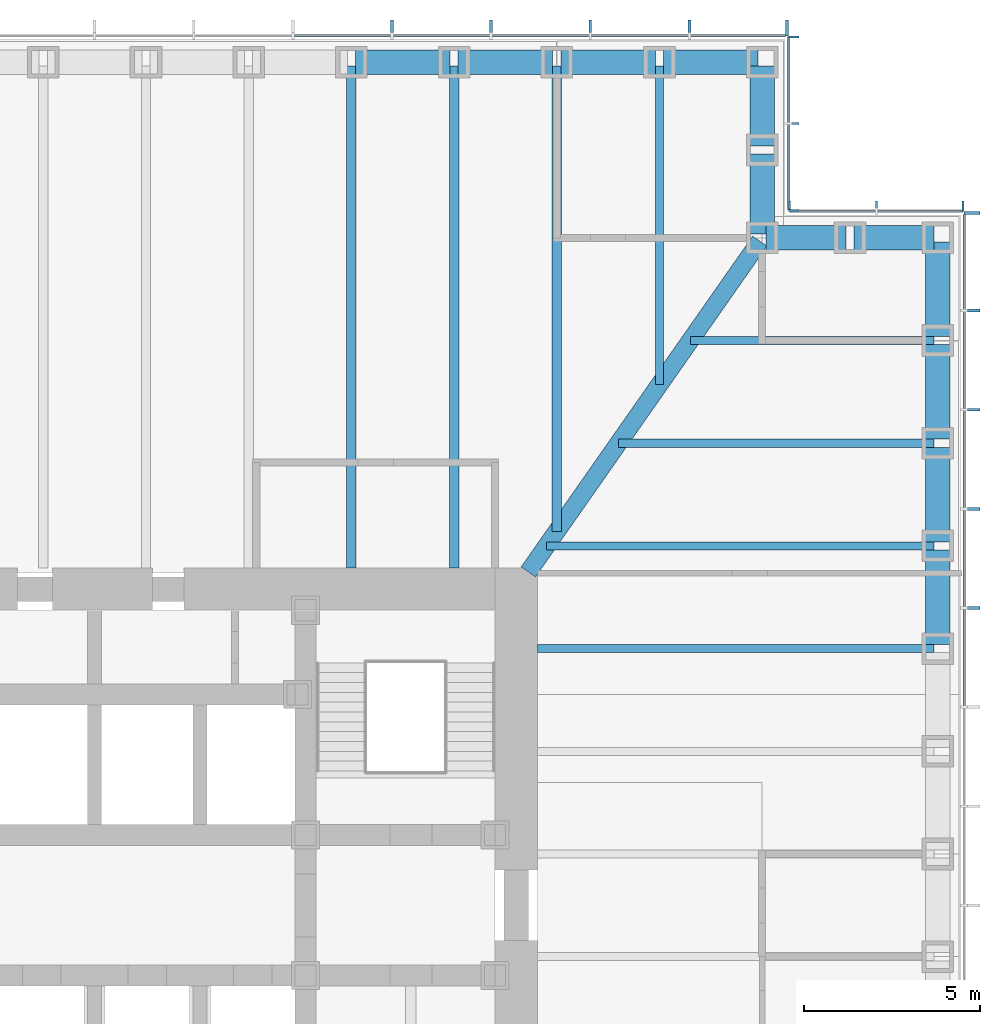
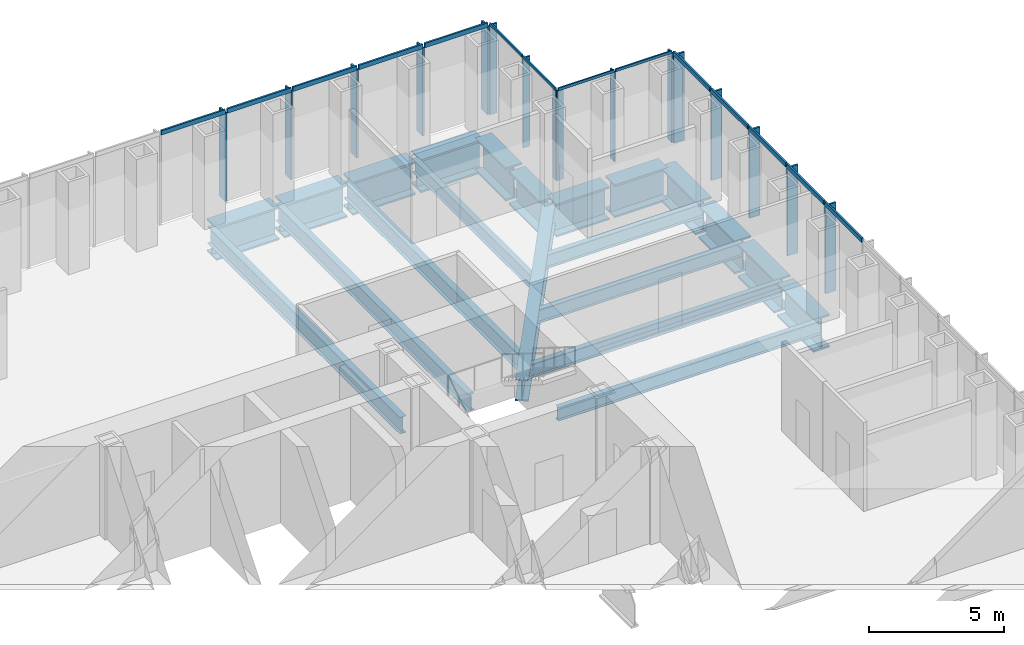
# One storey, part 6 of 16: 30 members, 21 beams, 4 elements without a shape of their own.
"""IFC4 building model written with IfcOpenShell, lengths in metres."""

from ifc_helpers import new_model, si_unit, direction, frame, origin, origin_2d, place, context, subcontext, project, spatial, rectangle, i_section, extrude, material, material_profile, profile_set, type_object, element, aggregate, save


model = new_model("IFC4")

# Units and contexts
model_context = context("Model", 3, precision=1e-05, world=origin(), true_north=direction((0.0, 1.0)))
body_context = subcontext(model_context, "Body", "Model", "MODEL_VIEW")
ifc_project = project(units=[si_unit("LENGTHUNIT", "METRE"), si_unit("AREAUNIT", "SQUARE_METRE"), si_unit("VOLUMEUNIT", "CUBIC_METRE"), si_unit("PLANEANGLEUNIT", "RADIAN"), si_unit("MASSUNIT", "GRAM", prefix="KILO")], contexts=[model_context])

# Site, building, storey
site_placement = place(None, origin())
site = spatial("IfcSite", under=ifc_project, at=site_placement, CompositionType="ELEMENT")
building_placement = place(site_placement, origin())
building = spatial("IfcBuilding", under=site, at=building_placement, Name="Daluyong Arena Tower", CompositionType="ELEMENT")
storey_placement = place(building_placement, frame((0.0, 0.0, 68.5)))
storey = spatial("IfcBuildingStorey", under=building, at=storey_placement, Name="L14", CompositionType="ELEMENT", Elevation=68.5)

# Curtain wall, members
ifc_material_1 = material(Name="Bronze anodised aluminium and glass", Category="aluminium")
curtain_wall_type_1 = type_object("IfcCurtainWallType", Name="Curtain wall CW1", PredefinedType="USERDEFINED", material=ifc_material_1)
curtain_wall_1_placement = place(storey_placement, origin())
curtain_wall_1 = element("IfcCurtainWall", 1, at=curtain_wall_1_placement, inside=storey, type_object=curtain_wall_type_1, Name="curtain wall L14 E", ObjectType="UNITISED CURTAIN WALL", PredefinedType="USERDEFINED")
ifc_material_2 = material(Name="Bronze anodised aluminium fin", Category="aluminium")
ifc_material_profile_1 = material_profile(ifc_material_2, rectangle(XDim=0.449951171875, YDim=0.080078125, at=origin_2d()))
ifc_profile_set_1 = profile_set([ifc_material_profile_1], Name="Bronze anodised aluminium fin")
member_type_1 = type_object("IfcMemberType", Name="CW1 bronze fin 450x80", PredefinedType="MULLION", material=ifc_profile_set_1)
member_1_placement = place(storey_placement, frame((80.97509765625, 88.46435546875, 0.0), z_axis=(0.0, 0.0, 1.0), x_axis=(-1.0, 0.0, 0.0)))
member_1 = element("IfcMember", 2, at=member_1_placement, type_object=member_type_1, Name="curtain wall L14 E fin 11", PredefinedType="MULLION", context=body_context, shape_type="SweptSolid", body=[
    extrude(rectangle(XDim=0.449951171875, YDim=0.080078125, at=origin_2d()), origin(), (0.0, 0.0, 1.0), 4.0),
])
member_2_placement = place(storey_placement, frame((80.97509765625, 91.28564453125, 0.0), z_axis=(0.0, 0.0, 1.0), x_axis=(-1.0, 0.0, 0.0)))
member_2 = element("IfcMember", 3, at=member_2_placement, type_object=member_type_1, Name="curtain wall L14 E fin 12", PredefinedType="MULLION", context=body_context, shape_type="SweptSolid", body=[
    extrude(rectangle(XDim=0.449951171875, YDim=0.080078125, at=origin_2d()), origin(), (0.0, 0.0, 1.0), 4.0),
])
member_3_placement = place(storey_placement, frame((80.97509765625, 94.107177734375, 0.0), z_axis=(0.0, 0.0, 1.0), x_axis=(-1.0, 0.0, 0.0)))
member_3 = element("IfcMember", 4, at=member_3_placement, type_object=member_type_1, Name="curtain wall L14 E fin 13", PredefinedType="MULLION", context=body_context, shape_type="SweptSolid", body=[
    extrude(rectangle(XDim=0.449951171875, YDim=0.080078125, at=origin_2d()), origin(), (0.0, 0.0, 1.0), 4.0),
])
member_4_placement = place(storey_placement, frame((80.97509765625, 96.928466796875, 0.0), z_axis=(0.0, 0.0, 1.0), x_axis=(-1.0, 0.0, 0.0)))
member_4 = element("IfcMember", 5, at=member_4_placement, type_object=member_type_1, Name="curtain wall L14 E fin 14", PredefinedType="MULLION", context=body_context, shape_type="SweptSolid", body=[
    extrude(rectangle(XDim=0.449951171875, YDim=0.080078125, at=origin_2d()), origin(), (0.0, 0.0, 1.0), 4.0),
])
member_5_placement = place(storey_placement, frame((80.97509765625, 99.7099609375, 0.0), z_axis=(0.0, 0.0, 1.0), x_axis=(-1.0, 0.0, 0.0)))
member_5 = element("IfcMember", 6, at=member_5_placement, type_object=member_type_1, Name="curtain wall L14 E fin 15", PredefinedType="MULLION", context=body_context, shape_type="SweptSolid", body=[
    extrude(rectangle(XDim=0.449951171875, YDim=0.080078125, at=origin_2d()), origin(), (0.0, 0.0, 1.0), 4.0),
])

curtain_wall_2_placement = place(storey_placement, origin())
curtain_wall_2 = element("IfcCurtainWall", 7, at=curtain_wall_2_placement, inside=storey, type_object=curtain_wall_type_1, Name="curtain wall L14 N", ObjectType="UNITISED CURTAIN WALL", PredefinedType="USERDEFINED")
member_6_placement = place(storey_placement, frame((75.7099609375, 104.97509765625, 0.0), z_axis=(0.0, 0.0, 1.0), x_axis=(0.0, -1.0, 0.0)))
member_6 = element("IfcMember", 8, at=member_6_placement, type_object=member_type_1, Name="curtain wall L14 N fin 1", PredefinedType="MULLION", context=body_context, shape_type="SweptSolid", body=[
    extrude(rectangle(XDim=0.449951171875, YDim=0.080078125, at=origin_2d()), origin(), (0.0, 0.0, 1.0), 4.0),
])
member_7_placement = place(storey_placement, frame((72.928466796875, 104.97509765625, 0.0), z_axis=(0.0, 0.0, 1.0), x_axis=(0.0, -1.0, 0.0)))
member_7 = element("IfcMember", 9, at=member_7_placement, type_object=member_type_1, Name="curtain wall L14 N fin 2", PredefinedType="MULLION", context=body_context, shape_type="SweptSolid", body=[
    extrude(rectangle(XDim=0.449951171875, YDim=0.080078125, at=origin_2d()), origin(), (0.0, 0.0, 1.0), 4.0),
])
member_8_placement = place(storey_placement, frame((70.107177734375, 104.97509765625, 0.0), z_axis=(0.0, 0.0, 1.0), x_axis=(0.0, -1.0, 0.0)))
member_8 = element("IfcMember", 10, at=member_8_placement, type_object=member_type_1, Name="curtain wall L14 N fin 3", PredefinedType="MULLION", context=body_context, shape_type="SweptSolid", body=[
    extrude(rectangle(XDim=0.449951171875, YDim=0.080078125, at=origin_2d()), origin(), (0.0, 0.0, 1.0), 4.0),
])
member_9_placement = place(storey_placement, frame((67.28564453125, 104.97509765625, 0.0), z_axis=(0.0, 0.0, 1.0), x_axis=(0.0, -1.0, 0.0)))
member_9 = element("IfcMember", 11, at=member_9_placement, type_object=member_type_1, Name="curtain wall L14 N fin 4", PredefinedType="MULLION", context=body_context, shape_type="SweptSolid", body=[
    extrude(rectangle(XDim=0.449951171875, YDim=0.080078125, at=origin_2d()), origin(), (0.0, 0.0, 1.0), 4.0),
])
member_10_placement = place(storey_placement, frame((64.46435546875, 104.97509765625, 0.0), z_axis=(0.0, 0.0, 1.0), x_axis=(0.0, -1.0, 0.0)))
member_10 = element("IfcMember", 12, at=member_10_placement, type_object=member_type_1, Name="curtain wall L14 N fin 5", PredefinedType="MULLION", context=body_context, shape_type="SweptSolid", body=[
    extrude(rectangle(XDim=0.449951171875, YDim=0.080078125, at=origin_2d()), origin(), (0.0, 0.0, 1.0), 4.0),
])

# Member
ifc_material_3 = material(Name="Bronze anodised aluminium", Category="aluminium")
ifc_material_profile_2 = material_profile(ifc_material_3, rectangle(XDim=0.080078125, YDim=0.199951171875, at=origin_2d()))
ifc_profile_set_2 = profile_set([ifc_material_profile_2], Name="Bronze anodised aluminium")
member_type_2 = type_object("IfcMemberType", Name="CW1 stack transom 200x80", PredefinedType="USERDEFINED", material=ifc_profile_set_2)
member_11_placement = place(storey_placement, frame((80.75, 85.682861328125, 4.10009765625), z_axis=(0.0, 1.0, 0.0), x_axis=(-1.0, 0.0, 0.0)))
member_11 = element("IfcMember", 13, at=member_11_placement, type_object=member_type_2, Name="curtain wall L14 E transom 10", ObjectType="TRANSOM", PredefinedType="USERDEFINED", context=body_context, shape_type="SweptSolid", body=[
    extrude(rectangle(XDim=0.080078125, YDim=0.199951171875, at=origin_2d()), origin(), (0.0, 0.0, 1.0), 2.741455078125),
])

member_12_placement = place(storey_placement, frame((80.75, 88.50439453125, 4.10009765625), z_axis=(0.0, 1.0, 0.0), x_axis=(-1.0, 0.0, 0.0)))
member_12 = element("IfcMember", 14, at=member_12_placement, type_object=member_type_2, Name="curtain wall L14 E transom 11", ObjectType="TRANSOM", PredefinedType="USERDEFINED", context=body_context, shape_type="SweptSolid", body=[
    extrude(rectangle(XDim=0.080078125, YDim=0.199951171875, at=origin_2d()), origin(), (0.0, 0.0, 1.0), 2.7412109375),
])

member_13_placement = place(storey_placement, frame((80.75, 91.32568359375, 4.10009765625), z_axis=(0.0, 1.0, 0.0), x_axis=(-1.0, 0.0, 0.0)))
member_13 = element("IfcMember", 15, at=member_13_placement, type_object=member_type_2, Name="curtain wall L14 E transom 12", ObjectType="TRANSOM", PredefinedType="USERDEFINED", context=body_context, shape_type="SweptSolid", body=[
    extrude(rectangle(XDim=0.080078125, YDim=0.199951171875, at=origin_2d()), origin(), (0.0, 0.0, 1.0), 2.741455078125),
])

member_14_placement = place(storey_placement, frame((80.75, 94.147216796875, 4.10009765625), z_axis=(0.0, 1.0, 0.0), x_axis=(-1.0, 0.0, 0.0)))
member_14 = element("IfcMember", 16, at=member_14_placement, type_object=member_type_2, Name="curtain wall L14 E transom 13", ObjectType="TRANSOM", PredefinedType="USERDEFINED", context=body_context, shape_type="SweptSolid", body=[
    extrude(rectangle(XDim=0.080078125, YDim=0.199951171875, at=origin_2d()), origin(), (0.0, 0.0, 1.0), 2.741455078125),
])

member_15_placement = place(storey_placement, frame((80.75, 96.968505859375, 4.10009765625), z_axis=(0.0, 1.0, 0.0), x_axis=(-1.0, 0.0, 0.0)))
member_15 = element("IfcMember", 17, at=member_15_placement, type_object=member_type_2, Name="curtain wall L14 E transom 14", ObjectType="TRANSOM", PredefinedType="USERDEFINED", context=body_context, shape_type="SweptSolid", body=[
    extrude(rectangle(XDim=0.080078125, YDim=0.199951171875, at=origin_2d()), origin(), (0.0, 0.0, 1.0), 2.701416015625),
])

aggregate(curtain_wall_1, [member_1, member_2, member_3, member_4, member_5, member_11, member_12, member_13, member_14, member_15])

member_16_placement = place(storey_placement, frame((75.669921875, 104.75, 4.10009765625), z_axis=(-1.0, 0.0, 0.0), x_axis=(0.0, -1.0, 0.0)))
member_16 = element("IfcMember", 18, at=member_16_placement, type_object=member_type_2, Name="curtain wall L14 N transom 1", ObjectType="TRANSOM", PredefinedType="USERDEFINED", context=body_context, shape_type="SweptSolid", body=[
    extrude(rectangle(XDim=0.080078125, YDim=0.199951171875, at=origin_2d()), origin(), (0.0, 0.0, 1.0), 2.701416015625),
])

member_17_placement = place(storey_placement, frame((72.888671875, 104.75, 4.10009765625), z_axis=(-1.0, 0.0, 0.0), x_axis=(0.0, -1.0, 0.0)))
member_17 = element("IfcMember", 19, at=member_17_placement, type_object=member_type_2, Name="curtain wall L14 N transom 2", ObjectType="TRANSOM", PredefinedType="USERDEFINED", context=body_context, shape_type="SweptSolid", body=[
    extrude(rectangle(XDim=0.080078125, YDim=0.199951171875, at=origin_2d()), origin(), (0.0, 0.0, 1.0), 2.741455078125),
])

member_18_placement = place(storey_placement, frame((70.067138671875, 104.75, 4.10009765625), z_axis=(-1.0, 0.0, 0.0), x_axis=(0.0, -1.0, 0.0)))
member_18 = element("IfcMember", 20, at=member_18_placement, type_object=member_type_2, Name="curtain wall L14 N transom 3", ObjectType="TRANSOM", PredefinedType="USERDEFINED", context=body_context, shape_type="SweptSolid", body=[
    extrude(rectangle(XDim=0.080078125, YDim=0.199951171875, at=origin_2d()), origin(), (0.0, 0.0, 1.0), 2.741455078125),
])

member_19_placement = place(storey_placement, frame((67.24560546875, 104.75, 4.10009765625), z_axis=(-1.0, 0.0, 0.0), x_axis=(0.0, -1.0, 0.0)))
member_19 = element("IfcMember", 21, at=member_19_placement, type_object=member_type_2, Name="curtain wall L14 N transom 4", ObjectType="TRANSOM", PredefinedType="USERDEFINED", context=body_context, shape_type="SweptSolid", body=[
    extrude(rectangle(XDim=0.080078125, YDim=0.199951171875, at=origin_2d()), origin(), (0.0, 0.0, 1.0), 2.7412109375),
])

member_20_placement = place(storey_placement, frame((64.42431640625, 104.75, 4.10009765625), z_axis=(-1.0, 0.0, 0.0), x_axis=(0.0, -1.0, 0.0)))
member_20 = element("IfcMember", 22, at=member_20_placement, type_object=member_type_2, Name="curtain wall L14 N transom 5", ObjectType="TRANSOM", PredefinedType="USERDEFINED", context=body_context, shape_type="SweptSolid", body=[
    extrude(rectangle(XDim=0.080078125, YDim=0.199951171875, at=origin_2d()), origin(), (0.0, 0.0, 1.0), 2.741455078125),
])

aggregate(curtain_wall_2, [member_6, member_7, member_8, member_9, member_10, member_16, member_17, member_18, member_19, member_20])

# Curtain wall, members
ifc_material_4 = material(Name="Bronze anodised aluminium and glass", Category="aluminium")
curtain_wall_type_2 = type_object("IfcCurtainWallType", Name="Curtain wall CW7", PredefinedType="USERDEFINED", material=ifc_material_4)
curtain_wall_3_placement = place(storey_placement, origin())
curtain_wall_3 = element("IfcCurtainWall", 23, at=curtain_wall_3_placement, inside=storey, type_object=curtain_wall_type_2, Name="curtain wall L14 NE-N", ObjectType="UNITISED CURTAIN WALL", PredefinedType="USERDEFINED")
ifc_material_5 = material(Name="Bronze anodised aluminium fin", Category="aluminium")
ifc_material_profile_3 = material_profile(ifc_material_5, rectangle(XDim=0.300048828125, YDim=0.06005859375, at=origin_2d()))
ifc_profile_set_3 = profile_set([ifc_material_profile_3], Name="Bronze anodised aluminium fin")
member_type_3 = type_object("IfcMemberType", Name="CW7 bronze fin 300x60", PredefinedType="MULLION", material=ifc_profile_set_3)
member_21_placement = place(storey_placement, frame((80.719970703125, 99.89990234375, 0.0), z_axis=(0.0, 0.0, 1.0), x_axis=(0.0, -1.0, 0.0)))
member_21 = element("IfcMember", 24, at=member_21_placement, type_object=member_type_3, Name="curtain wall L14 NE-N fin 1", PredefinedType="MULLION", context=body_context, shape_type="SweptSolid", body=[
    extrude(rectangle(XDim=0.300048828125, YDim=0.06005859375, at=origin_2d()), origin(), (0.0, 0.0, 1.0), 4.080078125),
])
member_22_placement = place(storey_placement, frame((78.25, 99.89990234375, 0.0), z_axis=(0.0, 0.0, 1.0), x_axis=(0.0, -1.0, 0.0)))
member_22 = element("IfcMember", 25, at=member_22_placement, type_object=member_type_3, Name="curtain wall L14 NE-N fin 2", PredefinedType="MULLION", context=body_context, shape_type="SweptSolid", body=[
    extrude(rectangle(XDim=0.300048828125, YDim=0.06005859375, at=origin_2d()), origin(), (0.0, 0.0, 1.0), 4.080078125),
])
member_23_placement = place(storey_placement, frame((75.780029296875, 99.89990234375, 0.0), z_axis=(0.0, 0.0, 1.0), x_axis=(0.0, -1.0, 0.0)))
member_23 = element("IfcMember", 26, at=member_23_placement, type_object=member_type_3, Name="curtain wall L14 NE-N fin 3", PredefinedType="MULLION", context=body_context, shape_type="SweptSolid", body=[
    extrude(rectangle(XDim=0.300048828125, YDim=0.06005859375, at=origin_2d()), origin(), (0.0, 0.0, 1.0), 4.080078125),
])

curtain_wall_4_placement = place(storey_placement, origin())
curtain_wall_4 = element("IfcCurtainWall", 27, at=curtain_wall_4_placement, inside=storey, type_object=curtain_wall_type_2, Name="curtain wall L14 NE-E", ObjectType="UNITISED CURTAIN WALL", PredefinedType="USERDEFINED")
member_24_placement = place(storey_placement, frame((75.89990234375, 99.780029296875, 0.0), z_axis=(0.0, 0.0, 1.0), x_axis=(-1.0, 0.0, 0.0)))
member_24 = element("IfcMember", 28, at=member_24_placement, type_object=member_type_3, Name="curtain wall L14 NE-E fin 1", PredefinedType="MULLION", context=body_context, shape_type="SweptSolid", body=[
    extrude(rectangle(XDim=0.300048828125, YDim=0.06005859375, at=origin_2d()), origin(), (0.0, 0.0, 1.0), 4.080078125),
])
member_25_placement = place(storey_placement, frame((75.89990234375, 102.25, 0.0), z_axis=(0.0, 0.0, 1.0), x_axis=(-1.0, 0.0, 0.0)))
member_25 = element("IfcMember", 29, at=member_25_placement, type_object=member_type_3, Name="curtain wall L14 NE-E fin 2", PredefinedType="MULLION", context=body_context, shape_type="SweptSolid", body=[
    extrude(rectangle(XDim=0.300048828125, YDim=0.06005859375, at=origin_2d()), origin(), (0.0, 0.0, 1.0), 4.080078125),
])
member_26_placement = place(storey_placement, frame((75.89990234375, 104.719970703125, 0.0), z_axis=(0.0, 0.0, 1.0), x_axis=(-1.0, 0.0, 0.0)))
member_26 = element("IfcMember", 30, at=member_26_placement, type_object=member_type_3, Name="curtain wall L14 NE-E fin 3", PredefinedType="MULLION", context=body_context, shape_type="SweptSolid", body=[
    extrude(rectangle(XDim=0.300048828125, YDim=0.06005859375, at=origin_2d()), origin(), (0.0, 0.0, 1.0), 4.080078125),
])

# Member
ifc_material_6 = material(Name="Bronze anodised aluminium", Category="aluminium")
ifc_material_profile_4 = material_profile(ifc_material_6, rectangle(XDim=0.06005859375, YDim=0.1201171875, at=origin_2d()))
ifc_profile_set_4 = profile_set([ifc_material_profile_4], Name="Bronze anodised aluminium")
member_type_4 = type_object("IfcMemberType", Name="CW7 stack transom 120x60", PredefinedType="USERDEFINED", material=ifc_profile_set_4)
member_27_placement = place(storey_placement, frame((80.68994140625, 99.75, 4.139892578125), z_axis=(-1.0, 0.0, 0.0), x_axis=(0.0, -1.0, 0.0)))
member_27 = element("IfcMember", 31, at=member_27_placement, type_object=member_type_4, Name="curtain wall L14 NE-N transom 1", ObjectType="TRANSOM", PredefinedType="USERDEFINED", context=body_context, shape_type="SweptSolid", body=[
    extrude(rectangle(XDim=0.06005859375, YDim=0.1201171875, at=origin_2d()), origin(), (0.0, 0.0, 1.0), 2.409912109375),
])

member_28_placement = place(storey_placement, frame((78.219970703125, 99.75, 4.139892578125), z_axis=(-1.0, 0.0, 0.0), x_axis=(0.0, -1.0, 0.0)))
member_28 = element("IfcMember", 32, at=member_28_placement, type_object=member_type_4, Name="curtain wall L14 NE-N transom 2", ObjectType="TRANSOM", PredefinedType="USERDEFINED", context=body_context, shape_type="SweptSolid", body=[
    extrude(rectangle(XDim=0.06005859375, YDim=0.1201171875, at=origin_2d()), origin(), (0.0, 0.0, 1.0), 2.409912109375),
])

aggregate(curtain_wall_3, [member_21, member_22, member_23, member_27, member_28])

member_29_placement = place(storey_placement, frame((75.75, 99.81005859375, 4.139892578125), z_axis=(0.0, 1.0, 0.0), x_axis=(-1.0, 0.0, 0.0)))
member_29 = element("IfcMember", 33, at=member_29_placement, type_object=member_type_4, Name="curtain wall L14 NE-E transom 1", ObjectType="TRANSOM", PredefinedType="USERDEFINED", context=body_context, shape_type="SweptSolid", body=[
    extrude(rectangle(XDim=0.06005859375, YDim=0.1201171875, at=origin_2d()), origin(), (0.0, 0.0, 1.0), 2.409912109375),
])

member_30_placement = place(storey_placement, frame((75.75, 102.280029296875, 4.139892578125), z_axis=(0.0, 1.0, 0.0), x_axis=(-1.0, 0.0, 0.0)))
member_30 = element("IfcMember", 34, at=member_30_placement, type_object=member_type_4, Name="curtain wall L14 NE-E transom 2", ObjectType="TRANSOM", PredefinedType="USERDEFINED", context=body_context, shape_type="SweptSolid", body=[
    extrude(rectangle(XDim=0.06005859375, YDim=0.1201171875, at=origin_2d()), origin(), (0.0, 0.0, 1.0), 2.409912109375),
])

aggregate(curtain_wall_4, [member_24, member_25, member_26, member_29, member_30])

# Beams
ifc_material_7 = material(Name="Steel ASTM A572 Grade 50", Category="steel")
ifc_material_profile_5 = material_profile(ifc_material_7, i_section(OverallWidth=0.5, OverallDepth=1.0, WebThickness=0.03, FlangeThickness=0.06, at=origin_2d()))
ifc_profile_set_5 = profile_set([ifc_material_profile_5], Name="Steel ASTM A572 Grade 50")
beam_type_1 = type_object("IfcBeamType", Name="Corner girder TB1000X500", PredefinedType="BEAM", material=ifc_profile_set_5)
beam_1_placement = place(storey_placement, frame((74.93408203125, 98.90576171875, -0.659912109375), z_axis=(-0.573466621875, -0.819228926244, 0.0), x_axis=(0.819228926244, -0.573466621875, 0.0)))
element("IfcBeam", 35, at=beam_1_placement, inside=storey, type_object=beam_type_1, Name="corner girder DG2", PredefinedType="BEAM", context=body_context, shape_type="SweptSolid", body=[
    extrude(i_section(OverallWidth=0.5, OverallDepth=1.0, WebThickness=0.03, FlangeThickness=0.06, at=origin_2d()), origin(), (0.0, 0.0, 1.0), 11.49169921875),
])
ifc_material_8 = material(Name="Steel ASTM A992 Grade 50", Category="steel")
ifc_material_profile_6 = material_profile(ifc_material_8, i_section(OverallWidth=0.22900390625, OverallDepth=0.612060546875, WebThickness=0.011962890625, FlangeThickness=0.01953125, at=origin_2d()))
ifc_profile_set_6 = profile_set([ifc_material_profile_6], Name="Steel ASTM A992 Grade 50")
beam_type_2 = type_object("IfcBeamType", Name="Floor beam W24X84", PredefinedType="BEAM", material=ifc_profile_set_6)
beam_2_placement = place(storey_placement, frame((79.885009765625, 87.3076171875, -0.466064453125), z_axis=(-1.0, 0.0, 0.0), x_axis=(0.0, -1.0, 0.0)))
element("IfcBeam", 36, at=beam_2_placement, inside=storey, type_object=beam_type_2, Name="floor beam FB3", PredefinedType="BEAM", context=body_context, shape_type="SweptSolid", body=[
    extrude(i_section(OverallWidth=0.22900390625, OverallDepth=0.612060546875, WebThickness=0.011962890625, FlangeThickness=0.01953125, at=origin_2d()), origin(), (0.0, 0.0, 1.0), 11.284912109375),
])
beam_3_placement = place(storey_placement, frame((79.885009765625, 90.230712890625, -0.466064453125), z_axis=(-1.0, 0.0, 0.0), x_axis=(0.0, -1.0, 0.0)))
element("IfcBeam", 37, at=beam_3_placement, inside=storey, type_object=beam_type_2, Name="floor beam FB3", PredefinedType="BEAM", context=body_context, shape_type="SweptSolid", body=[
    extrude(i_section(OverallWidth=0.22900390625, OverallDepth=0.612060546875, WebThickness=0.011962890625, FlangeThickness=0.01953125, at=origin_2d()), origin(), (0.0, 0.0, 1.0), 11.0234375),
])
beam_4_placement = place(storey_placement, frame((79.885009765625, 93.15380859375, -0.466064453125), z_axis=(-1.0, 0.0, 0.0), x_axis=(0.0, -1.0, 0.0)))
element("IfcBeam", 38, at=beam_4_placement, inside=storey, type_object=beam_type_2, Name="floor beam FB3", PredefinedType="BEAM", context=body_context, shape_type="SweptSolid", body=[
    extrude(i_section(OverallWidth=0.22900390625, OverallDepth=0.612060546875, WebThickness=0.011962890625, FlangeThickness=0.01953125, at=origin_2d()), origin(), (0.0, 0.0, 1.0), 8.977294921875),
])
beam_5_placement = place(storey_placement, frame((79.885009765625, 96.076904296875, -0.466064453125), z_axis=(-1.0, 0.0, 0.0), x_axis=(0.0, -1.0, 0.0)))
element("IfcBeam", 39, at=beam_5_placement, inside=storey, type_object=beam_type_2, Name="floor beam FB3", PredefinedType="BEAM", context=body_context, shape_type="SweptSolid", body=[
    extrude(i_section(OverallWidth=0.22900390625, OverallDepth=0.612060546875, WebThickness=0.011962890625, FlangeThickness=0.01953125, at=origin_2d()), origin(), (0.0, 0.0, 1.0), 6.93115234375),
])
beam_6_placement = place(storey_placement, frame((72.076904296875, 103.885009765625, -0.466064453125), z_axis=(0.0, -1.0, 0.0), x_axis=(1.0, 0.0, 0.0)))
element("IfcBeam", 40, at=beam_6_placement, inside=storey, type_object=beam_type_2, Name="floor beam FB3", PredefinedType="BEAM", context=body_context, shape_type="SweptSolid", body=[
    extrude(i_section(OverallWidth=0.22900390625, OverallDepth=0.612060546875, WebThickness=0.011962890625, FlangeThickness=0.01953125, at=origin_2d()), origin(), (0.0, 0.0, 1.0), 9.060791015625),
])
ifc_material_9 = material(Name="Steel ASTM A992 Grade 50", Category="steel")
ifc_material_profile_7 = material_profile(ifc_material_9, i_section(OverallWidth=0.2666015625, OverallDepth=0.761962890625, WebThickness=0.014404296875, FlangeThickness=0.021484375, at=origin_2d()))
ifc_profile_set_7 = profile_set([ifc_material_profile_7], Name="Steel ASTM A992 Grade 50")
beam_type_3 = type_object("IfcBeamType", Name="Floor beam W30X116", PredefinedType="BEAM", material=ifc_profile_set_7)
beam_7_placement = place(storey_placement, frame((69.15380859375, 103.885009765625, -0.541015625), z_axis=(0.0, -1.0, 0.0), x_axis=(1.0, 0.0, 0.0)))
element("IfcBeam", 41, at=beam_7_placement, inside=storey, type_object=beam_type_3, Name="floor beam FB4", PredefinedType="BEAM", context=body_context, shape_type="SweptSolid", body=[
    extrude(i_section(OverallWidth=0.2666015625, OverallDepth=0.761962890625, WebThickness=0.014404296875, FlangeThickness=0.021484375, at=origin_2d()), origin(), (0.0, 0.0, 1.0), 13.236572265625),
])
for number, where, z_axis, x_axis, name in (
    (42, (66.230712890625, 103.885009765625, -0.541015625), (0.0, -1.0, 0.0), (1.0, 0.0, 0.0), "floor beam FB4"),
    (43, (63.3076171875, 103.885009765625, -0.541015625), (0.0, -1.0, 0.0), (1.0, 0.0, 0.0), "floor beam FB4"),
):
    element("IfcBeam", number, at=place(storey_placement, frame(where, z_axis=z_axis, x_axis=x_axis)), inside=storey, type_object=beam_type_3, Name=name, PredefinedType="BEAM", context=body_context, shape_type="SweptSolid", body=[
        extrude(i_section(OverallWidth=0.2666015625, OverallDepth=0.761962890625, WebThickness=0.014404296875, FlangeThickness=0.021484375, at=origin_2d()), origin(), (0.0, 0.0, 1.0), 14.284912109375),
    ])
ifc_material_10 = material(Name="Steel ASTM A572 Grade 50", Category="steel")
ifc_material_profile_8 = material_profile(ifc_material_10, i_section(OverallWidth=0.699951171875, OverallDepth=1.5, WebThickness=0.04, FlangeThickness=0.08, at=origin_2d()))
ifc_profile_set_8 = profile_set([ifc_material_profile_8], Name="Steel ASTM A572 Grade 50")
beam_type_4 = type_object("IfcBeamType", Name="Spandrel Z1 PG1500X700", PredefinedType="SPANDREL", material=ifc_profile_set_8)
for number, where, z_axis, x_axis, name in (
    (44, (80.0, 87.422607421875, -0.909912109375), (0.0, 1.0, 0.0), (-1.0, 0.0, 0.0), "spandrel z1 SB4"),
    (45, (80.0, 90.345703125, -0.909912109375), (0.0, 1.0, 0.0), (-1.0, 0.0, 0.0), "spandrel z1 SB4"),
    (46, (80.0, 93.268798828125, -0.909912109375), (0.0, 1.0, 0.0), (-1.0, 0.0, 0.0), "spandrel z1 SB4"),
    (47, (80.0, 96.19189453125, -0.909912109375), (0.0, 1.0, 0.0), (-1.0, 0.0, 0.0), "spandrel z1 SB4"),
):
    element("IfcBeam", number, at=place(storey_placement, frame(where, z_axis=z_axis, x_axis=x_axis)), inside=storey, type_object=beam_type_4, Name=name, PredefinedType="SPANDREL", context=body_context, shape_type="SweptSolid", body=[
        extrude(i_section(OverallWidth=0.699951171875, OverallDepth=1.5, WebThickness=0.04, FlangeThickness=0.08, at=origin_2d()), origin(), (0.0, 0.0, 1.0), 2.693115234375),
    ])
for number, where, z_axis, x_axis, name in (
    (48, (79.885009765625, 99.0, -0.909912109375), (-1.0, 0.0, 0.0), (0.0, -1.0, 0.0), "spandrel z1 SB4"),
    (49, (77.385009765625, 99.0, -0.909912109375), (-1.0, 0.0, 0.0), (0.0, -1.0, 0.0), "spandrel z1 SB4"),
    (50, (75.0, 99.114990234375, -0.909912109375), (0.0, 1.0, 0.0), (-1.0, 0.0, 0.0), "spandrel z1 SB4"),
    (51, (75.0, 101.614990234375, -0.909912109375), (0.0, 1.0, 0.0), (-1.0, 0.0, 0.0), "spandrel z1 SB4"),
):
    element("IfcBeam", number, at=place(storey_placement, frame(where, z_axis=z_axis, x_axis=x_axis)), inside=storey, type_object=beam_type_4, Name=name, PredefinedType="SPANDREL", context=body_context, shape_type="SweptSolid", body=[
        extrude(i_section(OverallWidth=0.699951171875, OverallDepth=1.5, WebThickness=0.04, FlangeThickness=0.08, at=origin_2d()), origin(), (0.0, 0.0, 1.0), 2.27001953125),
    ])
for number, where, z_axis, x_axis, name in (
    (52, (74.885009765625, 104.0, -0.909912109375), (-1.0, 0.0, 0.0), (0.0, -1.0, 0.0), "spandrel z1 SB4"),
    (53, (71.9619140625, 104.0, -0.909912109375), (-1.0, 0.0, 0.0), (0.0, -1.0, 0.0), "spandrel z1 SB4"),
    (54, (69.038818359375, 104.0, -0.909912109375), (-1.0, 0.0, 0.0), (0.0, -1.0, 0.0), "spandrel z1 SB4"),
    (55, (66.11572265625, 104.0, -0.909912109375), (-1.0, 0.0, 0.0), (0.0, -1.0, 0.0), "spandrel z1 SB4"),
):
    element("IfcBeam", number, at=place(storey_placement, frame(where, z_axis=z_axis, x_axis=x_axis)), inside=storey, type_object=beam_type_4, Name=name, PredefinedType="SPANDREL", context=body_context, shape_type="SweptSolid", body=[
        extrude(i_section(OverallWidth=0.699951171875, OverallDepth=1.5, WebThickness=0.04, FlangeThickness=0.08, at=origin_2d()), origin(), (0.0, 0.0, 1.0), 2.693115234375),
    ])

save(model, "model.ifc")
